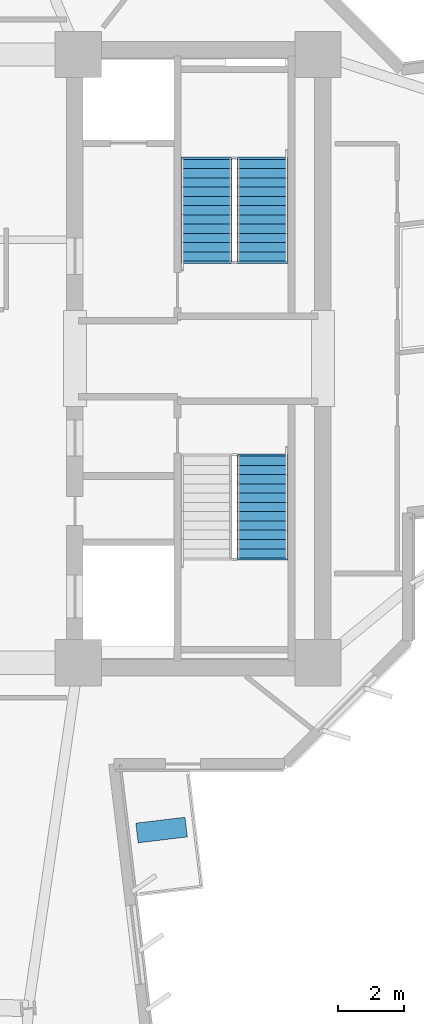
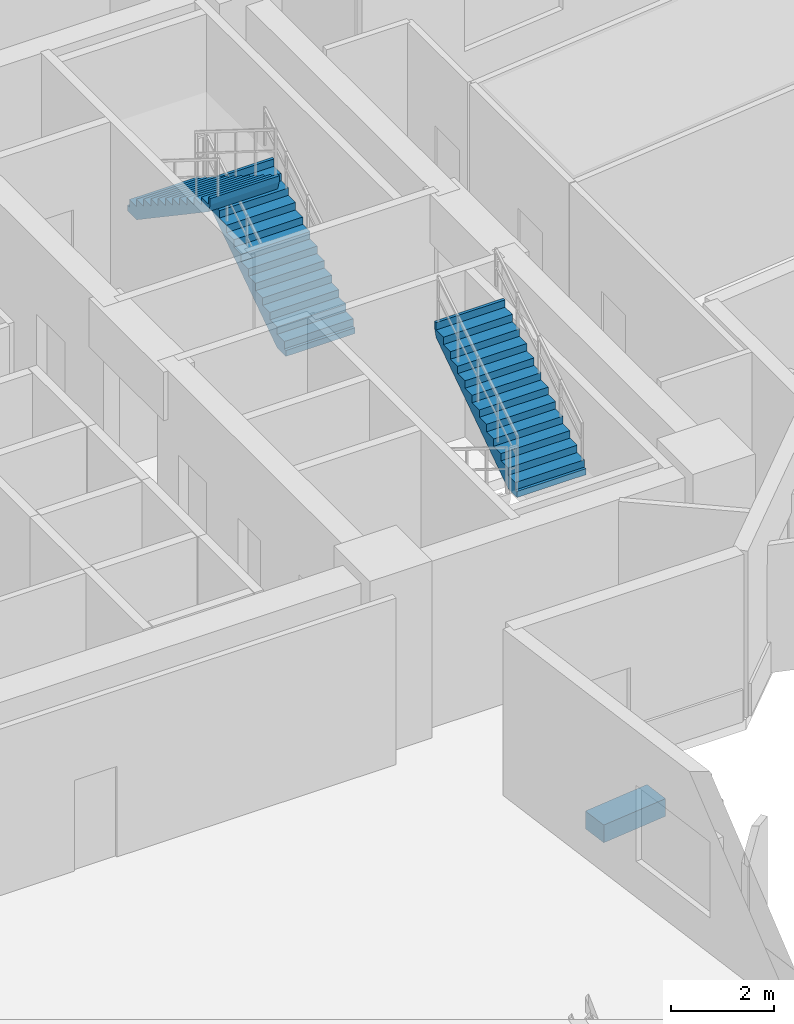
# One storey, part 10 of 15: 3 stair flights, 1 discrete accessory, 2 elements without a shape of their own.
"""IFC4 building model written with IfcOpenShell, lengths in metres."""

from ifc_helpers import new_model, si_unit, direction, frame, origin, origin_2d, place, context, subcontext, project, spatial, polyline, rectangle, outline, extrude, source, transform, mapped, material, type_object, element, aggregate, save


model = new_model("IFC4")

# Units and contexts
model_context = context("Model", 3, precision=1e-05, world=origin(), true_north=direction((0.0, 1.0)))
body_context = subcontext(model_context, "Body", "Model", "MODEL_VIEW")
ifc_project = project(units=[si_unit("LENGTHUNIT", "METRE"), si_unit("AREAUNIT", "SQUARE_METRE"), si_unit("VOLUMEUNIT", "CUBIC_METRE"), si_unit("PLANEANGLEUNIT", "RADIAN"), si_unit("MASSUNIT", "GRAM", prefix="KILO")], contexts=[model_context])

# Site, building, storey
site_placement = place(None, origin())
site = spatial("IfcSite", under=ifc_project, at=site_placement, CompositionType="ELEMENT")
building_placement = place(site_placement, origin())
building = spatial("IfcBuilding", under=site, at=building_placement, Name="Zahravan Cultural Tower", CompositionType="ELEMENT")
storey_placement = place(building_placement, frame((0.0, 0.0, 108.89990234375)))
storey = spatial("IfcBuildingStorey", under=building, at=storey_placement, Name="L24", CompositionType="ELEMENT", Elevation=108.89990234375)

# Stair, stair flights
ifc_material_1 = material(Name="Concrete C45/55", Category="concrete")
stair_type = type_object("IfcStairType", Name="STR-DL-1550-420", PredefinedType="HALF_TURN_STAIR", material=ifc_material_1)
stair_1_placement = place(storey_placement, origin())
stair_1 = element("IfcStair", 1, at=stair_1_placement, inside=storey, type_object=stair_type, Name="L24 East Core North Exit Stair ST-E1", PredefinedType="HALF_TURN_STAIR")
stair_flight_type = type_object("IfcStairFlightType", Name="FLG-DL-1550-420", PredefinedType="STRAIGHT", material=ifc_material_1)
stair_flight_1_placement = place(storey_placement, frame((48.675048828125, 29.949951171875, 0.0), z_axis=(0.0, 0.0, 1.0), x_axis=(0.0, 1.0, 0.0)))
stair_flight_1 = element("IfcStairFlight", 2, at=stair_flight_1_placement, type_object=stair_flight_type, Name="ST-E1 flight 1", NumberOfRisers=12, NumberOfTreads=11, PredefinedType="STRAIGHT", RiserHeight=0.175, TreadLength=0.28, context=body_context, shape_type="SweptSolid", body=[
    extrude(outline(polyline([(-0.06494140625, -0.139892578125), (-0.06494140625, 0.0), (0.0, 0.0), (0.0, 0.175048828125), (0.280029296875, 0.175048828125), (0.280029296875, 0.35009765625), (0.56005859375, 0.35009765625), (0.56005859375, 0.52490234375), (0.840087890625, 0.52490234375), (0.840087890625, 0.699951171875), (1.1201171875, 0.699951171875), (1.1201171875, 0.875), (1.39990234375, 0.875), (1.39990234375, 1.050048828125), (1.679931640625, 1.050048828125), (1.679931640625, 1.22509765625), (1.9599609375, 1.22509765625), (1.9599609375, 1.39990234375), (2.239990234375, 1.39990234375), (2.239990234375, 1.574951171875), (2.52001953125, 1.574951171875), (2.52001953125, 1.75), (2.800048828125, 1.75), (2.800048828125, 1.925048828125), (3.080078125, 1.925048828125), (3.080078125, 2.10009765625), (3.14501953125, 2.10009765625), (3.14501953125, 1.9501953125), (3.080078125, 1.748291015625), (0.28271484375, -0.139892578125), (-0.06494140625, -0.139892578125)])), frame((0.0, 0.77490234375, 0.0), z_axis=(0.0, -1.0, 0.0), x_axis=(1.0, 0.0, 0.0)), (0.0, 0.0, 1.0), 1.550048828125),
])
stair_flight_2_placement = place(storey_placement, frame((46.97509765625, 33.030029296875, 2.10009765625), z_axis=(0.0, 0.0, 1.0), x_axis=(0.0, -1.0, 0.0)))
stair_flight_2 = element("IfcStairFlight", 3, at=stair_flight_2_placement, type_object=stair_flight_type, Name="ST-E1 flight 2", NumberOfRisers=12, NumberOfTreads=11, PredefinedType="STRAIGHT", RiserHeight=0.175, TreadLength=0.28, context=body_context, shape_type="SweptSolid", body=[
    extrude(outline(polyline([(-0.06494140625, -0.139892578125), (-0.06494140625, 0.0), (0.0, 0.0), (0.0, 0.175048828125), (0.280029296875, 0.175048828125), (0.280029296875, 0.35009765625), (0.56005859375, 0.35009765625), (0.56005859375, 0.52490234375), (0.840087890625, 0.52490234375), (0.840087890625, 0.699951171875), (1.1201171875, 0.699951171875), (1.1201171875, 0.875), (1.39990234375, 0.875), (1.39990234375, 1.050048828125), (1.679931640625, 1.050048828125), (1.679931640625, 1.22509765625), (1.9599609375, 1.22509765625), (1.9599609375, 1.39990234375), (2.239990234375, 1.39990234375), (2.239990234375, 1.574951171875), (2.52001953125, 1.574951171875), (2.52001953125, 1.75), (2.800048828125, 1.75), (2.800048828125, 1.925048828125), (3.080078125, 1.925048828125), (3.080078125, 2.10009765625), (3.14501953125, 2.10009765625), (3.14501953125, 1.9501953125), (3.080078125, 1.748291015625), (0.28271484375, -0.139892578125), (-0.06494140625, -0.139892578125)])), frame((0.0, 0.77490234375, 0.0), z_axis=(0.0, -1.0, 0.0), x_axis=(1.0, 0.0, 0.0)), (0.0, 0.0, 1.0), 1.550048828125),
])
aggregate(stair_1, [stair_flight_1, stair_flight_2])

# Stair, stair flight
stair_2_placement = place(storey_placement, origin())
stair_2 = element("IfcStair", 4, at=stair_2_placement, inside=storey, type_object=stair_type, Name="L24 East Core South Exit Stair ST-E2", PredefinedType="HALF_TURN_STAIR")
stair_flight_3_placement = place(storey_placement, frame((48.675048828125, 20.969970703125, 2.10009765625), z_axis=(0.0, 0.0, 1.0), x_axis=(0.0, 1.0, 0.0)))
stair_flight_3 = element("IfcStairFlight", 5, at=stair_flight_3_placement, type_object=stair_flight_type, Name="ST-E2 flight 2", NumberOfRisers=12, NumberOfTreads=11, PredefinedType="STRAIGHT", RiserHeight=0.175, TreadLength=0.28, context=body_context, shape_type="SweptSolid", body=[
    extrude(outline(polyline([(-0.06494140625, -0.139892578125), (-0.06494140625, 0.0), (0.0, 0.0), (0.0, 0.175048828125), (0.280029296875, 0.175048828125), (0.280029296875, 0.35009765625), (0.56005859375, 0.35009765625), (0.56005859375, 0.52490234375), (0.840087890625, 0.52490234375), (0.840087890625, 0.699951171875), (1.1201171875, 0.699951171875), (1.1201171875, 0.875), (1.39990234375, 0.875), (1.39990234375, 1.050048828125), (1.679931640625, 1.050048828125), (1.679931640625, 1.22509765625), (1.9599609375, 1.22509765625), (1.9599609375, 1.39990234375), (2.239990234375, 1.39990234375), (2.239990234375, 1.574951171875), (2.52001953125, 1.574951171875), (2.52001953125, 1.75), (2.800048828125, 1.75), (2.800048828125, 1.925048828125), (3.080078125, 1.925048828125), (3.080078125, 2.10009765625), (3.14501953125, 2.10009765625), (3.14501953125, 1.9501953125), (3.080078125, 1.748291015625), (0.28271484375, -0.139892578125), (-0.06494140625, -0.139892578125)])), frame((0.0, 0.77490234375, 0.0), z_axis=(0.0, -1.0, 0.0), x_axis=(1.0, 0.0, 0.0)), (0.0, 0.0, 1.0), 1.550048828125),
])
aggregate(stair_2, [stair_flight_3])

# Discrete accessory
ifc_material_2 = material(Name="Planted soil and terracotta planter", Category="masonry")
discrete_accessory_type = type_object("IfcDiscreteAccessoryType", Name="ACC-PLANTER-TC", PredefinedType="USERDEFINED", material=ifc_material_2)
shared_shape = source(origin(), body_context, "Body", "SweptSolid", [
    extrude(rectangle(XDim=1.5, YDim=0.60009765625, at=origin_2d()), origin(), (0.0, 0.0, 1.0), 0.419921875),
])
discrete_accessory_placement = place(storey_placement, frame((45.619140625, 12.741455078125, 0.000244140625), z_axis=(0.0, 0.0, 1.0), x_axis=(0.99288260457, 0.119097160095, 0.0)))
element("IfcDiscreteAccessory", 6, at=discrete_accessory_placement, inside=storey, type_object=discrete_accessory_type, Name="L24 Terracotta Sculpture Planter SE", ObjectType="PLANTER", PredefinedType="USERDEFINED", context=body_context, shape_type="MappedRepresentation", body=[
    mapped(shared_shape, transform((0.0, 0.0, 0.0), x_axis=(1.0, 0.0, 0.0), y_axis=(0.0, 1.0, 0.0), z_axis=(0.0, 0.0, 1.0), scale=1.0)),
])

save(model, "model.ifc")
